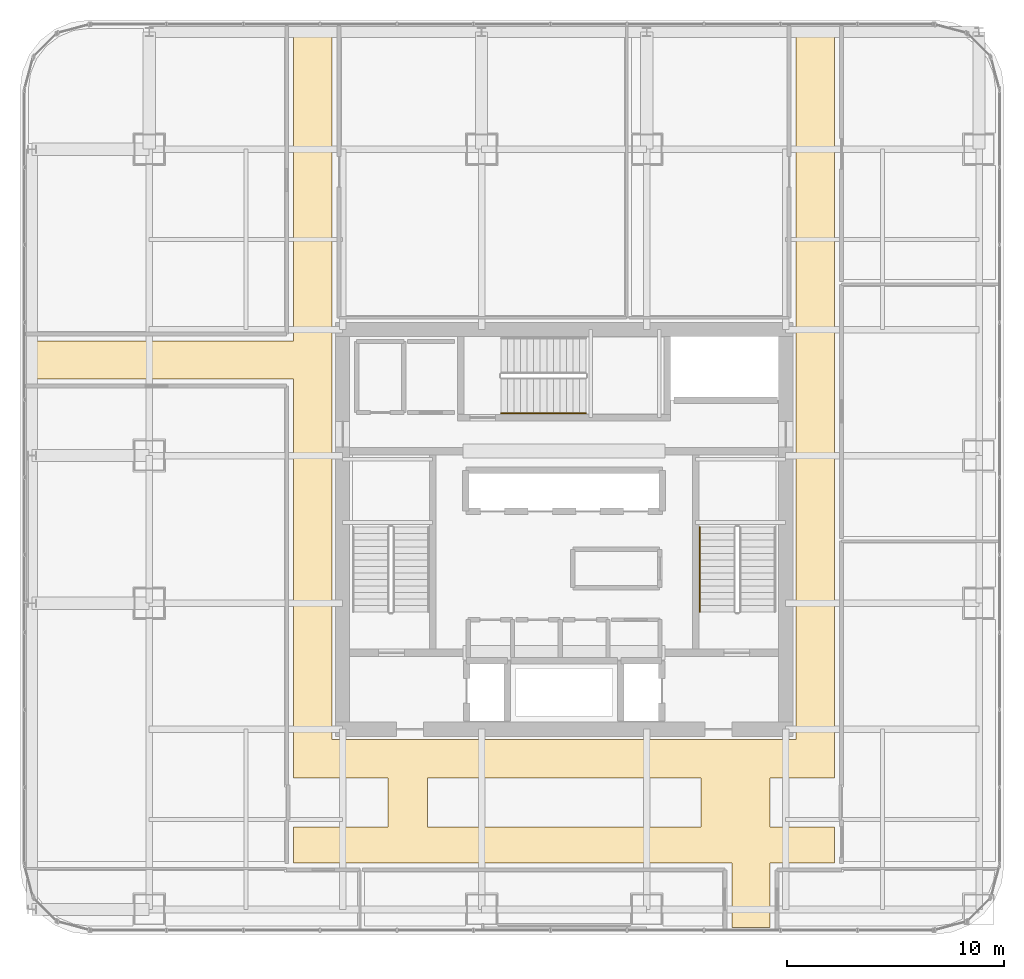
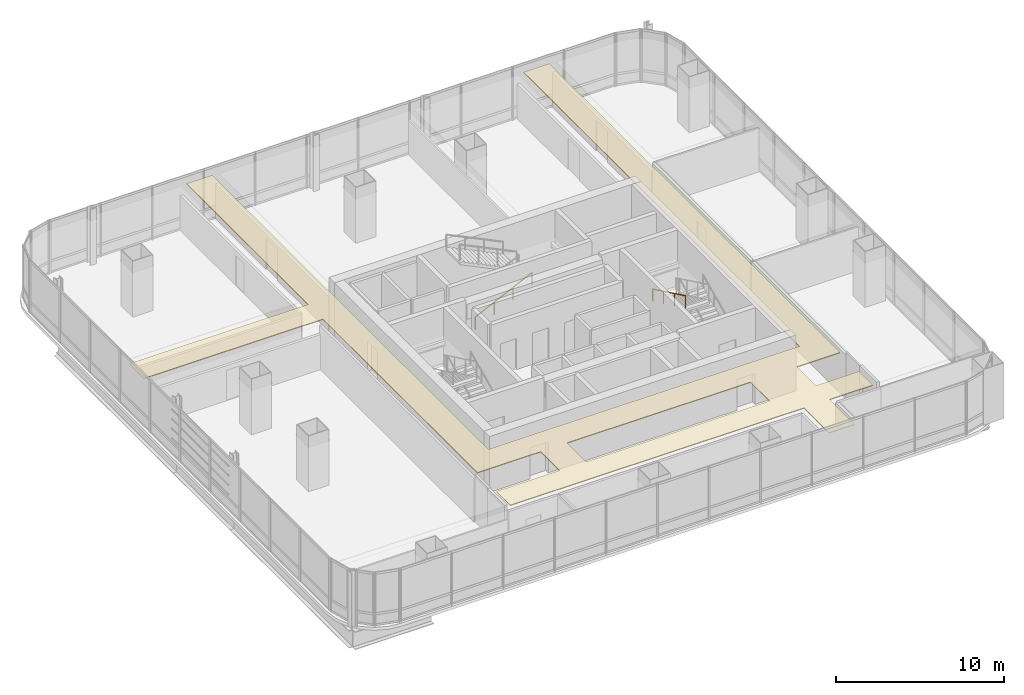
# One storey, part 36 of 38: 2 railings, 1 covering.
"""IFC4 building model written with IfcOpenShell, lengths in metres."""

import ifcopenshell
import ifcopenshell.guid

model = None  # the IFC model being written
_history = None  # IfcOwnerHistory: only IFC2X3 demands one
_inside = {}  # id of a spatial element -> (the spatial element, [elements in it])
_under = {}  # id of a project, library or spatial element -> (it, [spatial elements below it])
_declared = {}  # id of a project -> (the project, [libraries it declares])
_typed = {}  # id of a type object -> (the type object, [elements of that type])
_made_of = {}  # id of a material, layer set ... -> (it, [elements and type objects made of it])


def new_model(schema):
    """Start an empty IFC model of exactly this schema.

    Asked for "IFC4X3", IfcOpenShell would pick the latest addendum, in which some entities
    have other attributes; the version numbers below select the first issue.
    IFC2X3 requires an IfcOwnerHistory on every rooted entity: one is made here for all.
    """
    global model, _history
    if schema == "IFC4X3":
        model = ifcopenshell.file(schema_version=(4, 3, 0, 0))
    else:
        model = ifcopenshell.file(schema=schema)
    _inside.clear()
    _under.clear()
    _declared.clear()
    _typed.clear()
    _made_of.clear()
    _history = None
    if model.schema == "IFC2X3":
        org = make("IfcOrganization", Name="unknown")
        user = make(
            "IfcPersonAndOrganization",
            ThePerson=make("IfcPerson", FamilyName="unknown"),
            TheOrganization=org,
        )
        app = make(
            "IfcApplication",
            ApplicationDeveloper=org,
            Version="unknown",
            ApplicationFullName="unknown",
            ApplicationIdentifier="unknown",
        )
        _history = make(
            "IfcOwnerHistory",
            OwningUser=user,
            OwningApplication=app,
            ChangeAction="ADDED",
            CreationDate=0,
        )
    return model


def make(cls, **values):
    """One entity of the class cls with the attributes given. An attribute that is None is left unset."""
    return model.create_entity(
        cls, **{name: value for name, value in values.items() if value is not None}
    )


def rooted(cls, **values):
    """An entity with a GlobalId (a new one), such as an element, a storey or a relation."""
    return make(cls, GlobalId=ifcopenshell.guid.new(), OwnerHistory=_history, **values)


def si_unit(unit_type, name, prefix=None):
    """IfcSIUnit, for example si_unit("LENGTHUNIT", "METRE", prefix="MILLI")."""
    return make("IfcSIUnit", UnitType=unit_type, Prefix=prefix, Name=name)


def assignment(units):
    """IfcUnitAssignment: the units of a project."""
    return None if units is None else make("IfcUnitAssignment", Units=units)


def point(xyz):
    """IfcCartesianPoint."""
    return None if xyz is None else make("IfcCartesianPoint", Coordinates=xyz)


def direction(xyz):
    """IfcDirection."""
    return None if xyz is None else make("IfcDirection", DirectionRatios=xyz)


def frame(location, z_axis=None, x_axis=None):
    """IfcAxis2Placement3D, a coordinate frame: its origin and axes. An axis left out is left unset."""
    return make(
        "IfcAxis2Placement3D",
        Location=point(location),
        Axis=direction(z_axis),
        RefDirection=direction(x_axis),
    )


def frame_2d(location, x_axis=None):
    """IfcAxis2Placement2D, a coordinate frame in the plane: its origin and x axis."""
    return make(
        "IfcAxis2Placement2D", Location=point(location), RefDirection=direction(x_axis)
    )


def origin():
    """The frame at (0, 0, 0) with its axes left unset."""
    return frame((0.0, 0.0, 0.0))


def origin_2d():
    """The frame at (0, 0) in the plane with its x axis left unset."""
    return frame_2d((0.0, 0.0))


def place(relative_to, where):
    """IfcLocalPlacement: puts the frame where relative to a parent placement (None: the world)."""
    return make(
        "IfcLocalPlacement", PlacementRelTo=relative_to, RelativePlacement=where
    )


def context(
    kind, dimensions, precision=None, world=None, true_north=None, identifier=None
):
    """IfcGeometricRepresentationContext, for example the 3D "Model" context."""
    return make(
        "IfcGeometricRepresentationContext",
        ContextIdentifier=identifier,
        ContextType=kind,
        CoordinateSpaceDimension=dimensions,
        Precision=precision,
        WorldCoordinateSystem=world,
        TrueNorth=true_north,
    )


def subcontext(parent, identifier, kind, view, scale=None):
    """IfcGeometricRepresentationSubContext, for example "Body" below "Model"."""
    return make(
        "IfcGeometricRepresentationSubContext",
        ContextIdentifier=identifier,
        ContextType=kind,
        ParentContext=parent,
        TargetScale=scale,
        TargetView=view,
    )


def project(units=None, contexts=None):
    """IfcProject with its units and contexts."""
    return rooted(
        "IfcProject",
        Name="project",
        RepresentationContexts=contexts,
        UnitsInContext=assignment(units),
    )


def spatial(cls, under=None, at=None, **own):
    """A site, building, storey or space (cls), placed at a placement, below another one or the project."""
    s = rooted(cls, ObjectPlacement=at, **own)
    if under is not None:
        _under.setdefault(under.id(), (under, []))[1].append(s)
    return s


def polyline(points):
    """IfcPolyline through the points."""
    return make("IfcPolyline", Points=[point(p) for p in points])


def profile(cls, at=None, kind="AREA", **sizes):
    """A parametric profile (cls). Its sizes go by their IFC names, for example OverallWidth=200.0."""
    return make(cls, ProfileType=kind, Position=at, **sizes)


def circle(**sizes):
    """IfcCircleProfileDef."""
    return profile("IfcCircleProfileDef", **sizes)


def outline(outer, holes=None, kind="AREA"):
    """IfcArbitraryClosedProfileDef: a profile drawn as a closed curve; with holes, ...WithVoids."""
    if holes is None:
        return make("IfcArbitraryClosedProfileDef", ProfileType=kind, OuterCurve=outer)
    return make(
        "IfcArbitraryProfileDefWithVoids",
        ProfileType=kind,
        OuterCurve=outer,
        InnerCurves=holes,
    )


def extrude(swept, where, along, depth):
    """IfcExtrudedAreaSolid: the profile swept, set in the frame where, extruded along a direction by depth."""
    return make(
        "IfcExtrudedAreaSolid",
        SweptArea=swept,
        Position=where,
        ExtrudedDirection=direction(along),
        Depth=depth,
    )


def shape(context_of_items, identifier, shape_type, items):
    """IfcShapeRepresentation: the items that make up one representation, for example the "Body"."""
    return make(
        "IfcShapeRepresentation",
        ContextOfItems=context_of_items,
        RepresentationIdentifier=identifier,
        RepresentationType=shape_type,
        Items=items,
    )


def material(Name=None, Category=None):
    """IfcMaterial."""
    return make("IfcMaterial", Name=Name, Category=Category)


def layer(
    of_material, thickness, ventilated=None, Name=None, Category=None, Priority=None
):
    """IfcMaterialLayer: one layer of a wall or slab, of a material (None: an air gap)."""
    return make(
        "IfcMaterialLayer",
        Material=of_material,
        LayerThickness=thickness,
        IsVentilated=ventilated,
        Name=Name,
        Category=Category,
        Priority=Priority,
    )


def layer_set(layers, Name=None):
    """IfcMaterialLayerSet."""
    return make("IfcMaterialLayerSet", MaterialLayers=layers, LayerSetName=Name)


def made_of(thing, what):
    """Note that an element or type object is made of a material, layer set ...; save() writes the relation."""
    if what is not None:
        _made_of.setdefault(what.id(), (what, []))[1].append(thing)
    return thing


def type_object(cls, material=None, **own):
    """A type object (cls), such as IfcWallType, which elements share."""
    return made_of(rooted(cls, **own), material)


def element(
    cls,
    number,
    at=None,
    inside=None,
    cuts=None,
    type_object=None,
    material=None,
    context=None,
    identifier="Body",
    shape_type=None,
    held_by="IfcProductDefinitionShape",
    body=None,
    shapes=None,
    **own,
):
    """One element of the class cls, such as IfcWall. Its Tag is "e" and its number.

    at: its placement. inside: the storey or other place that contains it. cuts: it is an
    opening in that element (IfcRelVoidsElement). A single representation is given by context,
    identifier, shape_type and body (its items); several are given by shapes. held_by: the class
    of the entity that holds the representations. save() writes the other relations.
    """
    e = rooted(cls, Tag="e%d" % number, ObjectPlacement=at, **own)
    if body is not None:
        shapes = [shape(context, identifier, shape_type, body)]
    if shapes is not None:
        e.Representation = make(held_by, Representations=shapes)
    if inside is not None:
        _inside.setdefault(inside.id(), (inside, []))[1].append(e)
    if cuts is not None:
        rooted(
            "IfcRelVoidsElement", RelatingBuildingElement=cuts, RelatedOpeningElement=e
        )
    if type_object is not None:
        _typed.setdefault(type_object.id(), (type_object, []))[1].append(e)
    return made_of(e, material)


def aggregate(whole, parts):
    """IfcRelAggregates: a whole, such as a stair, and the parts it consists of."""
    return rooted("IfcRelAggregates", RelatingObject=whole, RelatedObjects=parts)


def save(model, path):
    """Write the relations noted so far, then the file.

    IfcRelAggregates (storeys below a building ...), IfcRelContainedInSpatialStructure (elements
    in a storey), IfcRelDefinesByType, IfcRelAssociatesMaterial and IfcRelDeclares: one each for
    every whole, place, type object, material and project.
    """
    for whole, parts in _under.values():
        aggregate(whole, parts)
    for where, things in _inside.values():
        rooted(
            "IfcRelContainedInSpatialStructure",
            RelatedElements=things,
            RelatingStructure=where,
        )
    for kind, things in _typed.values():
        rooted("IfcRelDefinesByType", RelatedObjects=things, RelatingType=kind)
    for what, things in _made_of.values():
        rooted("IfcRelAssociatesMaterial", RelatedObjects=things, RelatingMaterial=what)
    for by, libraries in _declared.values():
        rooted("IfcRelDeclares", RelatingContext=by, RelatedDefinitions=libraries)
    model.write(path)


model = new_model("IFC4")

# Units and contexts
model_context = context("Model", 3, precision=1e-05, world=origin(), true_north=direction((0.0, 1.0)))
body_context = subcontext(model_context, "Body", "Model", "MODEL_VIEW")
ifc_project = project(units=[si_unit("LENGTHUNIT", "METRE"), si_unit("AREAUNIT", "SQUARE_METRE"), si_unit("VOLUMEUNIT", "CUBIC_METRE"), si_unit("PLANEANGLEUNIT", "RADIAN"), si_unit("MASSUNIT", "GRAM", prefix="KILO")], contexts=[model_context])

# Site, building, storey
site_placement = place(None, origin())
site = spatial("IfcSite", under=ifc_project, at=site_placement, CompositionType="ELEMENT")
building_placement = place(site_placement, origin())
building = spatial("IfcBuilding", under=site, at=building_placement, Name="Punatoya Terracotta Tower", CompositionType="ELEMENT")
storey_placement = place(building_placement, frame((0.0, 0.0, 160.050048828125)))
storey = spatial("IfcBuildingStorey", under=building, at=storey_placement, Name="L37", CompositionType="ELEMENT", Elevation=160.050048828125)

# Covering
ifc_material_1 = material(Name="Acoustic Mineral Fibre Ceiling")
ifc_layer = layer(ifc_material_1, 0.06005859375)
ifc_layer_set = layer_set([ifc_layer], Name="Acoustic Mineral Fibre Ceiling")
covering_type = type_object("IfcCoveringType", Name="COV-CEIL-60", PredefinedType="CEILING", material=ifc_layer_set)
covering_placement = place(storey_placement, frame((0.0, 0.0, 3.219970703125)))
element("IfcCovering", 1, at=covering_placement, inside=storey, type_object=covering_type, Name="L37 Central Spine Circulation Corridor Acoustic Ceiling", PredefinedType="CEILING", context=body_context, shape_type="SweptSolid", body=[
    extrude(outline(polyline([(9.47998046875, -15.35009765625), (12.449951171875, -15.35009765625), (12.449951171875, -13.699951171875), (9.47998046875, -13.699951171875), (9.47998046875, -11.449951171875), (12.449951171875, -11.449951171875), (12.449951171875, 23.1298828125), (10.679931640625, 23.1298828125), (10.679931640625, -9.679931640625), (-10.679931640625, -9.679931640625), (-10.679931640625, 23.1298828125), (-12.449951171875, 23.1298828125), (-12.449951171875, 8.679931640625), (-24.72998046875, 8.679931640625), (-24.72998046875, 6.919921875), (-12.449951171875, 6.919921875), (-12.449951171875, -11.449951171875), (-8.10009765625, -11.449951171875), (-8.10009765625, -13.699951171875), (-12.449951171875, -13.699951171875), (-12.449951171875, -15.35009765625), (7.719970703125, -15.35009765625), (7.719970703125, -18.330078125), (9.47998046875, -18.330078125), (9.47998046875, -15.35009765625)]), holes=[polyline([(6.300048828125, -13.699951171875), (-6.300048828125, -13.699951171875), (-6.300048828125, -11.449951171875), (6.300048828125, -11.449951171875), (6.300048828125, -13.699951171875)])]), origin(), (0.0, 0.0, 1.0), 0.06005859375),
])

# Railings
ifc_material_2 = material(Name="Steel S355", Category="steel")
railing_type = type_object("IfcRailingType", Name="RLG-HND-900", PredefinedType="HANDRAIL", material=ifc_material_2)
railing_1_placement = place(storey_placement, frame((6.25, 0.10009765625, 2.169677734375)))
element("IfcRailing", 2, at=railing_1_placement, inside=storey, type_object=railing_type, Name="L37 ST-2 stair handrail 2", PredefinedType="HANDRAIL", context=body_context, shape_type="SweptSolid", body=[
    extrude(circle(Radius=0.02392578125, at=origin_2d()), frame((0.0, 0.0, 0.8759765625), z_axis=(0.0, -0.900773802044, 0.434288564841), x_axis=(1.0, 0.0, 0.0)), (0.0, 0.0, 1.0), 4.329833984375),
    extrude(circle(Radius=0.02099609375, at=origin_2d()), origin(), (0.0, 0.0, 1.0), 0.851806640625),
    extrude(circle(Radius=0.02099609375, at=origin_2d()), frame((0.0, -1.300048828125, 0.626708984375)), (0.0, 0.0, 1.0), 0.851806640625),
    extrude(circle(Radius=0.02099609375, at=origin_2d()), frame((0.0, -2.60009765625, 1.253662109375)), (0.0, 0.0, 1.0), 0.851806640625),
    extrude(circle(Radius=0.02099609375, at=origin_2d()), frame((0.0, -3.900146484375, 1.88037109375)), (0.0, 0.0, 1.0), 0.851806640625),
])
railing_2_placement = place(storey_placement, frame((-2.89990234375, 5.35009765625, 0.14453125)))
element("IfcRailing", 3, at=railing_2_placement, inside=storey, type_object=railing_type, Name="L37 ST-3 stair handrail 1", PredefinedType="HANDRAIL", context=body_context, shape_type="SweptSolid", body=[
    extrude(circle(Radius=0.02392578125, at=origin_2d()), frame((0.0, 0.0, 0.8759765625), z_axis=(0.900763166376, 0.0, 0.434310623978), x_axis=(0.0, 1.0, 0.0)), (0.0, 0.0, 1.0), 4.32958984375),
    extrude(circle(Radius=0.02099609375, at=origin_2d()), origin(), (0.0, 0.0, 1.0), 0.851806640625),
    extrude(circle(Radius=0.02099609375, at=origin_2d()), frame((1.300048828125, 0.0, 0.626708984375)), (0.0, 0.0, 1.0), 0.851806640625),
    extrude(circle(Radius=0.02099609375, at=origin_2d()), frame((2.599853515625, 0.0, 1.253662109375)), (0.0, 0.0, 1.0), 0.851806640625),
    extrude(circle(Radius=0.02099609375, at=origin_2d()), frame((3.89990234375, 0.0, 1.88037109375)), (0.0, 0.0, 1.0), 0.851806640625),
])

save(model, "model.ifc")
